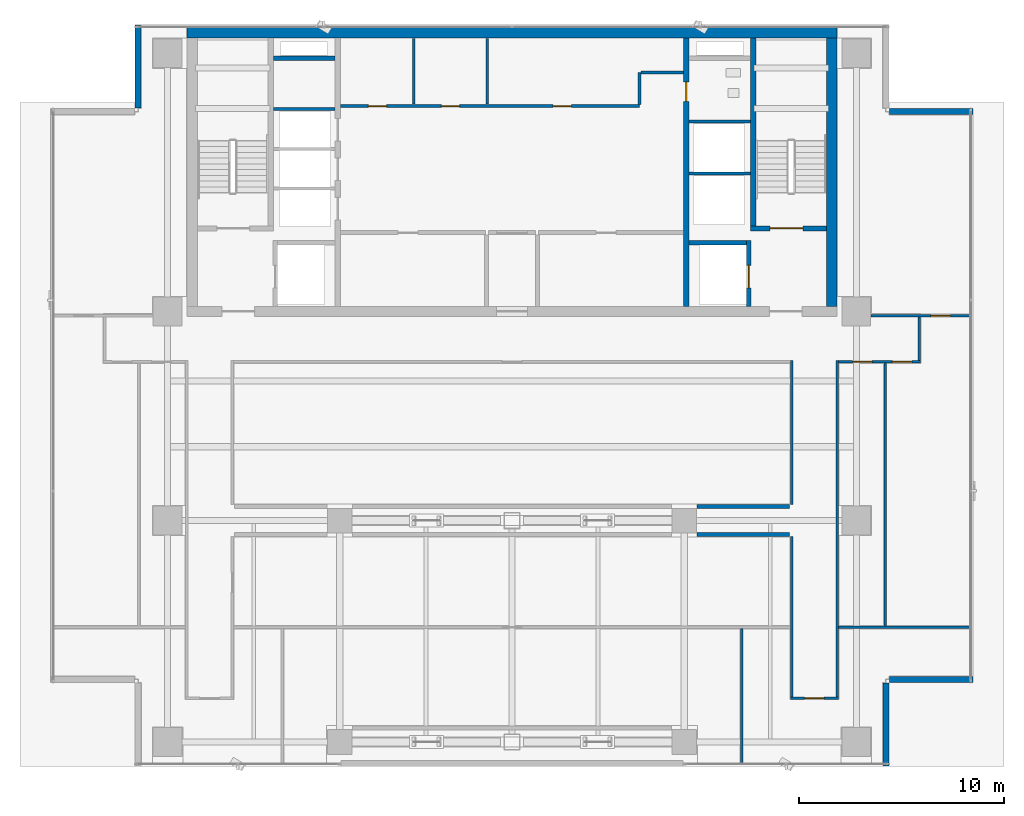
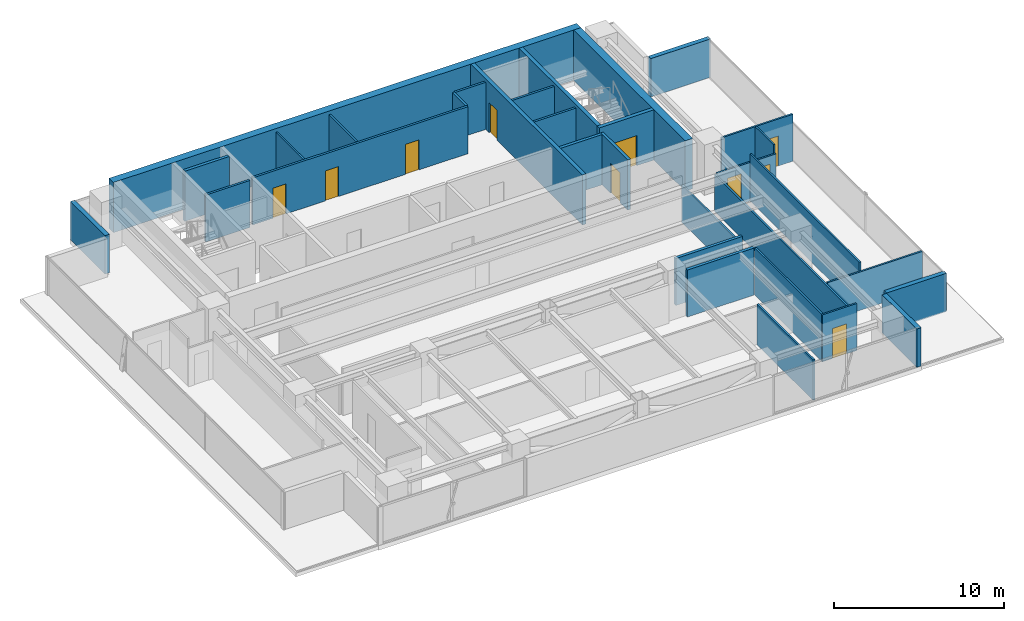
# One storey, part 21 of 27: 32 walls, 10 doors, 10 openings.
"""IFC4 building model written with IfcOpenShell, lengths in metres."""

from ifc_helpers import new_model, si_unit, direction, frame, frame_2d, origin, place, context, subcontext, project, spatial, rectangle, extrude, source, transform, mapped, material, layer, layer_set, type_object, element, fill, save


model = new_model("IFC4")

# Units and contexts
model_context = context("Model", 3, precision=1e-05, world=origin(), true_north=direction((0.0, 1.0)))
body_context = subcontext(model_context, "Body", "Model", "MODEL_VIEW")
ifc_project = project(units=[si_unit("LENGTHUNIT", "METRE"), si_unit("AREAUNIT", "SQUARE_METRE"), si_unit("VOLUMEUNIT", "CUBIC_METRE"), si_unit("PLANEANGLEUNIT", "RADIAN"), si_unit("MASSUNIT", "GRAM", prefix="KILO")], contexts=[model_context])

# Site, building, storey
site_placement = place(None, origin())
site = spatial("IfcSite", under=ifc_project, at=site_placement, CompositionType="ELEMENT")
building_placement = place(site_placement, origin())
building = spatial("IfcBuilding", under=site, at=building_placement, Name="Sumidabori Civic Tower", CompositionType="ELEMENT")
storey_placement = place(building_placement, frame((0.0, 0.0, 228.800048828125)))
storey = spatial("IfcBuildingStorey", under=building, at=storey_placement, Name="L59", CompositionType="ELEMENT", Elevation=228.800048828125)

# Walls
ifc_material_1 = material(Name="Concrete C50/60", Category="concrete")
ifc_layer_1 = layer(ifc_material_1, 0.199951171875, Name="Concrete C50/60")
ifc_layer_set_1 = layer_set([ifc_layer_1], Name="Concrete C50/60")
wall_type_1 = type_object("IfcWallType", Name="WL-SHAFT-200", PredefinedType="SHEAR", material=ifc_layer_set_1)
shared_shape_1 = source(origin(), body_context, "Body", "SweptSolid", [
    extrude(rectangle(XDim=2.824951171875, YDim=0.199951171875, at=frame_2d((1.41259765625, 0.0))), origin(), (0.0, 0.0, 1.0), 3.599853515625),
])
wall_1_placement = place(storey_placement, frame((8.625, 13.550048828125, 0.0), z_axis=(0.0, 0.0, 1.0), x_axis=(1.0, 0.0, 0.0)))
element("IfcWall", 1, at=wall_1_placement, inside=storey, type_object=wall_type_1, Name="Core Shear Wall L59 EL2-N", PredefinedType="SHEAR", context=body_context, shape_type="MappedRepresentation", body=[
    mapped(shared_shape_1, transform((0.0, 0.0, 0.0), x_axis=(1.0, 0.0, 0.0), y_axis=(0.0, 1.0, 0.0), z_axis=(0.0, 0.0, 1.0), scale=1.0)),
])
shared_shape_2 = source(origin(), body_context, "Body", "SweptSolid", [
    extrude(rectangle(XDim=3.02001953125, YDim=0.199951171875, at=frame_2d((1.510009765625, 0.0))), origin(), (0.0, 0.0, 1.0), 3.599853515625),
])
wall_2_placement = place(storey_placement, frame((-11.64501953125, 22.550048828125, 0.0), z_axis=(0.0, 0.0, 1.0), x_axis=(1.0, 0.0, 0.0)))
element("IfcWall", 2, at=wall_2_placement, inside=storey, type_object=wall_type_1, Name="Core Shear Wall L59 RIS1-S", PredefinedType="SHEAR", context=body_context, shape_type="MappedRepresentation", body=[
    mapped(shared_shape_2, transform((0.0, 0.0, 0.0), x_axis=(1.0, 0.0, 0.0), y_axis=(0.0, 1.0, 0.0), z_axis=(0.0, 0.0, 1.0), scale=1.0)),
])
ifc_layer_2 = layer(ifc_material_1, 0.5, Name="Concrete C50/60")
ifc_layer_set_2 = layer_set([ifc_layer_2], Name="Concrete C50/60")
wall_type_2 = type_object("IfcWallType", Name="WL-CORE-500", PredefinedType="SHEAR", material=ifc_layer_set_2)
shared_shape_3 = source(origin(), body_context, "Body", "SweptSolid", [
    extrude(rectangle(XDim=31.7001953125, YDim=0.5, at=frame_2d((15.85009765625, 0.0))), origin(), (0.0, 0.0, 1.0), 3.599853515625),
])
wall_3_placement = place(storey_placement, frame((-15.85009765625, 23.800048828125, 0.0), z_axis=(0.0, 0.0, 1.0), x_axis=(1.0, 0.0, 0.0)))
element("IfcWall", 3, at=wall_3_placement, inside=storey, type_object=wall_type_2, Name="Core Shear Wall L59 N", PredefinedType="SHEAR", context=body_context, shape_type="MappedRepresentation", body=[
    mapped(shared_shape_3, transform((0.0, 0.0, 0.0), x_axis=(1.0, 0.0, 0.0), y_axis=(0.0, 1.0, 0.0), z_axis=(0.0, 0.0, 1.0), scale=1.0)),
])
shared_shape_4 = source(origin(), body_context, "Body", "SweptSolid", [
    extrude(rectangle(XDim=13.10009765625, YDim=0.5, at=frame_2d((6.550048828125, 0.0))), origin(), (0.0, 0.0, 1.0), 3.599853515625),
])
wall_4_placement = place(storey_placement, frame((15.60009765625, 10.449951171875, 0.0), z_axis=(0.0, 0.0, 1.0), x_axis=(0.0, 1.0, 0.0)))
element("IfcWall", 4, at=wall_4_placement, inside=storey, type_object=wall_type_2, Name="Core Shear Wall L59 E", PredefinedType="SHEAR", context=body_context, shape_type="MappedRepresentation", body=[
    mapped(shared_shape_4, transform((0.0, 0.0, 0.0), x_axis=(1.0, 0.0, 0.0), y_axis=(0.0, 1.0, 0.0), z_axis=(0.0, 0.0, 1.0), scale=1.0)),
])

# Wall, opening, door
ifc_layer_3 = layer(ifc_material_1, 0.25, Name="Concrete C50/60")
ifc_layer_set_3 = layer_set([ifc_layer_3], Name="Concrete C50/60")
wall_type_3 = type_object("IfcWallType", Name="WL-SHAFT-250", PredefinedType="SHEAR", material=ifc_layer_set_3)
shared_shape_5 = source(origin(), body_context, "Body", "SweptSolid", [
    extrude(rectangle(XDim=13.10009765625, YDim=0.25, at=frame_2d((6.550048828125, 0.0))), origin(), (0.0, 0.0, 1.0), 3.599853515625),
])
wall_5_placement = place(storey_placement, frame((8.5, 10.449951171875, 0.0), z_axis=(0.0, 0.0, 1.0), x_axis=(0.0, 1.0, 0.0)))
wall_5 = element("IfcWall", 5, at=wall_5_placement, inside=storey, type_object=wall_type_3, Name="Core Shear Wall L59 WEB-E", PredefinedType="SHEAR", context=body_context, shape_type="MappedRepresentation", body=[
    mapped(shared_shape_5, transform((0.0, 0.0, 0.0), x_axis=(1.0, 0.0, 0.0), y_axis=(0.0, 1.0, 0.0), z_axis=(0.0, 0.0, 1.0), scale=1.0)),
])
opening_1_placement = place(wall_5_placement, frame((10.0, 0.0, 0.0)))
opening_1 = element("IfcOpeningElement", 6, at=opening_1_placement, cuts=wall_5, Name="Opening DR-2", PredefinedType="OPENING", context=body_context, shape_type="SweptSolid", body=[
    extrude(rectangle(XDim=0.949951171875, YDim=2.14990234375, at=frame_2d((0.47509765625, 1.074951171875))), frame((0.0, 0.136962890625, 0.0), z_axis=(0.0, -1.0, 0.0), x_axis=(1.0, 0.0, 0.0)), (0.0, 0.0, 1.0), 0.27392578125),
])
ifc_material_2 = material(Name="Japanese Hinoki Timber", Category="wood")
door_type_1 = type_object("IfcDoorType", Name="DR-INT-950", OperationType="NOTDEFINED", PredefinedType="DOOR", material=ifc_material_2)
shared_shape_6 = source(origin(), body_context, "Body", "SweptSolid", [
    extrude(rectangle(XDim=0.949951171875, YDim=2.14990234375, at=frame_2d((0.47509765625, 1.074951171875))), frame((0.0, 0.02490234375, 0.0), z_axis=(0.0, -1.0, 0.0), x_axis=(1.0, 0.0, 0.0)), (0.0, 0.0, 1.0), 0.050048828125),
])
door_1_placement = place(opening_1_placement, origin())
door_1 = element("IfcDoor", 7, at=door_1_placement, inside=storey, type_object=door_type_1, Name="Door DR:L59:WC-ACC", OperationType="SINGLE_SWING_RIGHT", OverallHeight=2.14990234375, OverallWidth=0.949951171875, PredefinedType="DOOR", context=body_context, shape_type="MappedRepresentation", body=[
    mapped(shared_shape_6, transform((0.0, 0.0, 0.0), x_axis=(1.0, 0.0, 0.0), y_axis=(0.0, 1.0, 0.0), z_axis=(0.0, 0.0, 1.0), scale=1.0)),
])
fill(opening_1, door_1)

shared_shape_7 = source(origin(), body_context, "Body", "SweptSolid", [
    extrude(rectangle(XDim=3.705078125, YDim=0.25, at=frame_2d((1.8525390625, 0.0))), origin(), (0.0, 0.0, 1.0), 3.599853515625),
])
wall_6_placement = place(storey_placement, frame((11.64501953125, 14.25, 0.0), z_axis=(0.0, 0.0, 1.0), x_axis=(1.0, 0.0, 0.0)))
wall_6 = element("IfcWall", 8, at=wall_6_placement, inside=storey, type_object=wall_type_3, Name="Core Shear Wall L59 ST2-S", PredefinedType="SHEAR", context=body_context, shape_type="MappedRepresentation", body=[
    mapped(shared_shape_7, transform((0.0, 0.0, 0.0), x_axis=(1.0, 0.0, 0.0), y_axis=(0.0, 1.0, 0.0), z_axis=(0.0, 0.0, 1.0), scale=1.0)),
])
opening_2_placement = place(wall_6_placement, frame((0.949951171875, 0.0, 0.0)))
opening_2 = element("IfcOpeningElement", 9, at=opening_2_placement, cuts=wall_6, Name="Opening DR-FD4", PredefinedType="OPENING", context=body_context, shape_type="SweptSolid", body=[
    extrude(rectangle(XDim=1.60009765625, YDim=2.14990234375, at=frame_2d((0.800048828125, 1.074951171875))), frame((0.0, 0.136962890625, 0.0), z_axis=(0.0, -1.0, 0.0), x_axis=(1.0, 0.0, 0.0)), (0.0, 0.0, 1.0), 0.27392578125),
])
ifc_material_3 = material(Name="Steel SN490", Category="steel")
door_type_2 = type_object("IfcDoorType", Name="DR-FD4", OperationType="DOUBLE_DOOR_SINGLE_SWING", PredefinedType="DOOR", material=ifc_material_3)
shared_shape_8 = source(origin(), body_context, "Body", "SweptSolid", [
    extrude(rectangle(XDim=1.60009765625, YDim=2.14990234375, at=frame_2d((0.800048828125, 1.074951171875))), frame((0.0, 0.02490234375, 0.0), z_axis=(0.0, -1.0, 0.0), x_axis=(1.0, 0.0, 0.0)), (0.0, 0.0, 1.0), 0.050048828125),
])
door_2_placement = place(opening_2_placement, origin())
door_2 = element("IfcDoor", 10, at=door_2_placement, inside=storey, type_object=door_type_2, Name="Door DR:L59:ST2", OperationType="DOUBLE_DOOR_SINGLE_SWING", OverallHeight=2.14990234375, OverallWidth=1.60009765625, PredefinedType="DOOR", context=body_context, shape_type="MappedRepresentation", body=[
    mapped(shared_shape_8, transform((0.0, 0.0, 0.0), x_axis=(1.0, 0.0, 0.0), y_axis=(0.0, 1.0, 0.0), z_axis=(0.0, 0.0, 1.0), scale=1.0)),
])
fill(opening_2, door_2)

# Wall
shared_shape_9 = source(origin(), body_context, "Body", "SweptSolid", [
    extrude(rectangle(XDim=9.175048828125, YDim=0.25, at=frame_2d((4.58740234375, 0.0))), origin(), (0.0, 0.0, 1.0), 3.599853515625),
])
wall_7_placement = place(storey_placement, frame((11.77001953125, 14.375, 0.0), z_axis=(0.0, 0.0, 1.0), x_axis=(0.0, 1.0, 0.0)))
element("IfcWall", 11, at=wall_7_placement, inside=storey, type_object=wall_type_3, Name="Core Shear Wall L59 ST2-W", PredefinedType="SHEAR", context=body_context, shape_type="MappedRepresentation", body=[
    mapped(shared_shape_9, transform((0.0, 0.0, 0.0), x_axis=(1.0, 0.0, 0.0), y_axis=(0.0, 1.0, 0.0), z_axis=(0.0, 0.0, 1.0), scale=1.0)),
])

# Wall, opening, door
shared_shape_10 = source(origin(), body_context, "Body", "SweptSolid", [
    extrude(rectangle(XDim=3.199951171875, YDim=0.199951171875, at=frame_2d((1.60009765625, 0.0))), origin(), (0.0, 0.0, 1.0), 3.599853515625),
])
wall_8_placement = place(storey_placement, frame((11.550048828125, 10.449951171875, 0.0), z_axis=(0.0, 0.0, 1.0), x_axis=(0.0, 1.0, 0.0)))
wall_8 = element("IfcWall", 12, at=wall_8_placement, inside=storey, type_object=wall_type_1, Name="Core Shear Wall L59 EL2-E", PredefinedType="SHEAR", context=body_context, shape_type="MappedRepresentation", body=[
    mapped(shared_shape_10, transform((0.0, 0.0, 0.0), x_axis=(1.0, 0.0, 0.0), y_axis=(0.0, 1.0, 0.0), z_axis=(0.0, 0.0, 1.0), scale=1.0)),
])
opening_3_placement = place(wall_8_placement, frame((0.89990234375, 0.0, 0.0)))
opening_3 = element("IfcOpeningElement", 13, at=opening_3_placement, cuts=wall_8, Name="Opening LD-2", PredefinedType="OPENING", context=body_context, shape_type="SweptSolid", body=[
    extrude(rectangle(XDim=1.10009765625, YDim=2.14990234375, at=frame_2d((0.550048828125, 1.074951171875))), frame((0.0, 0.11181640625, 0.0), z_axis=(0.0, -1.0, 0.0), x_axis=(1.0, 0.0, 0.0)), (0.0, 0.0, 1.0), 0.223876953125),
])
ifc_material_4 = material(Name="Stainless Steel Hairline Finish", Category="steel")
door_type_3 = type_object("IfcDoorType", Name="DR-LD2", OperationType="DOUBLE_DOOR_SLIDING", PredefinedType="DOOR", material=ifc_material_4)
shared_shape_11 = source(origin(), body_context, "Body", "SweptSolid", [
    extrude(rectangle(XDim=1.10009765625, YDim=2.14990234375, at=frame_2d((0.550048828125, 1.074951171875))), frame((0.0, 0.02490234375, 0.0), z_axis=(0.0, -1.0, 0.0), x_axis=(1.0, 0.0, 0.0)), (0.0, 0.0, 1.0), 0.050048828125),
])
door_3_placement = place(opening_3_placement, origin())
door_3 = element("IfcDoor", 14, at=door_3_placement, inside=storey, type_object=door_type_3, Name="Door DR:L59:LD-EL2", OperationType="DOUBLE_DOOR_SLIDING", OverallHeight=2.14990234375, OverallWidth=1.10009765625, PredefinedType="DOOR", context=body_context, shape_type="MappedRepresentation", body=[
    mapped(shared_shape_11, transform((0.0, 0.0, 0.0), x_axis=(1.0, 0.0, 0.0), y_axis=(0.0, 1.0, 0.0), z_axis=(0.0, 0.0, 1.0), scale=1.0)),
])
fill(opening_3, door_3)

# Walls
ifc_material_5 = material(Name="Precast concrete C40/50", Category="concrete")
ifc_layer_4 = layer(ifc_material_5, 0.300048828125, Name="Precast concrete C40/50")
ifc_layer_set_4 = layer_set([ifc_layer_4], Name="Precast concrete C40/50")
wall_type_4 = type_object("IfcWallType", Name="WL-EXT-POD300", PredefinedType="STANDARD", material=ifc_layer_set_4)
shared_shape_12 = source(origin(), body_context, "Body", "SweptSolid", [
    extrude(rectangle(XDim=4.06005859375, YDim=0.300048828125, at=frame_2d((2.030029296875, 0.0))), origin(), (0.0, 0.0, 1.0), 2.75),
])
for number, where, z_axis, x_axis, name in (
    (15, (18.25, -11.97998046875, 0.0), (0.0, 0.0, 1.0), (0.0, 1.0, 0.0), "Notched Corner Spandrel Band L59-03"),
    (16, (18.419921875, -7.75, 0.0), (0.0, 0.0, 1.0), (1.0, 0.0, 0.0), "Notched Corner Spandrel Band L59-04"),
    (17, (22.47998046875, 19.949951171875, 0.0), (0.0, 0.0, 1.0), (-1.0, 0.0, 0.0), "Notched Corner Spandrel Band L59-06"),
):
    element("IfcWall", number, at=place(storey_placement, frame(where, z_axis=z_axis, x_axis=x_axis)), inside=storey, type_object=wall_type_4, Name=name, PredefinedType="STANDARD", context=body_context, shape_type="MappedRepresentation", body=[
        mapped(shared_shape_12, transform((0.0, 0.0, 0.0), x_axis=(1.0, 0.0, 0.0), y_axis=(0.0, 1.0, 0.0), z_axis=(0.0, 0.0, 1.0), scale=1.0)),
    ])
shared_shape_13 = source(origin(), body_context, "Body", "SweptSolid", [
    extrude(rectangle(XDim=4.059814453125, YDim=0.300048828125, at=frame_2d((2.02978515625, 0.0))), origin(), (0.0, 0.0, 1.0), 2.75),
])
wall_9_placement = place(storey_placement, frame((-18.25, 24.179931640625, 0.0), z_axis=(0.0, 0.0, 1.0), x_axis=(0.0, -1.0, 0.0)))
element("IfcWall", 18, at=wall_9_placement, inside=storey, type_object=wall_type_4, Name="Notched Corner Spandrel Band L59-09", PredefinedType="STANDARD", context=body_context, shape_type="MappedRepresentation", body=[
    mapped(shared_shape_13, transform((0.0, 0.0, 0.0), x_axis=(1.0, 0.0, 0.0), y_axis=(0.0, 1.0, 0.0), z_axis=(0.0, 0.0, 1.0), scale=1.0)),
])
ifc_material_6 = material(Name="Gypsum Plasterboard Acoustic Partition")
ifc_layer_5 = layer(ifc_material_6, 0.14990234375, Name="Gypsum Plasterboard Acoustic Partition")
ifc_layer_set_5 = layer_set([ifc_layer_5], Name="Gypsum Plasterboard Acoustic Partition")
wall_type_5 = type_object("IfcWallType", Name="WL-PART-150", PredefinedType="PARTITIONING", material=ifc_layer_set_5)
shared_shape_14 = source(origin(), body_context, "Body", "SweptSolid", [
    extrude(rectangle(XDim=3.010009765625, YDim=0.14990234375, at=frame_2d((1.5048828125, 0.0))), origin(), (0.0, 0.0, 1.0), 3.369873046875),
])
for number, where, z_axis, x_axis, name in (
    (19, (-11.639892578125, 20.080078125, 0.0), (0.0, 0.0, 1.0), (1.0, 0.0, 0.0), "Interior Partition WL:L59:DIV-PLH3"),
    (20, (8.6298828125, 16.919921875, 0.0), (0.0, 0.0, 1.0), (1.0, 0.0, 0.0), "Interior Partition WL:L59:DIV-OBS1"),
    (21, (8.6298828125, 19.469970703125, 0.0), (0.0, 0.0, 1.0), (1.0, 0.0, 0.0), "Interior Partition WL:L59:DIV-OBS2"),
):
    element("IfcWall", number, at=place(storey_placement, frame(where, z_axis=z_axis, x_axis=x_axis)), inside=storey, type_object=wall_type_5, Name=name, PredefinedType="PARTITIONING", context=body_context, shape_type="MappedRepresentation", body=[
        mapped(shared_shape_14, transform((0.0, 0.0, 0.0), x_axis=(1.0, 0.0, 0.0), y_axis=(0.0, 1.0, 0.0), z_axis=(0.0, 0.0, 1.0), scale=1.0)),
    ])

# Wall, openings, doors
shared_shape_15 = source(origin(), body_context, "Body", "SweptSolid", [
    extrude(rectangle(XDim=14.590087890625, YDim=0.14990234375, at=frame_2d((7.294921875, 0.0))), origin(), (0.0, 0.0, 1.0), 3.369873046875),
])
wall_10_placement = place(storey_placement, frame((-8.3701171875, 20.219970703125, 0.0), z_axis=(0.0, 0.0, 1.0), x_axis=(1.0, 0.0, 0.0)))
wall_10 = element("IfcWall", 22, at=wall_10_placement, inside=storey, type_object=wall_type_5, Name="Interior Partition WL:L59:CBAND-M", PredefinedType="PARTITIONING", context=body_context, shape_type="MappedRepresentation", body=[
    mapped(shared_shape_15, transform((0.0, 0.0, 0.0), x_axis=(1.0, 0.0, 0.0), y_axis=(0.0, 1.0, 0.0), z_axis=(0.0, 0.0, 1.0), scale=1.0)),
])
opening_4_placement = place(wall_10_placement, frame((1.360107421875, 0.0, 0.0)))
opening_4 = element("IfcOpeningElement", 23, at=opening_4_placement, cuts=wall_10, Name="Opening DR-1", PredefinedType="OPENING", context=body_context, shape_type="SweptSolid", body=[
    extrude(rectangle(XDim=0.89990234375, YDim=2.14990234375, at=frame_2d((0.449951171875, 1.074951171875))), frame((0.0, 0.0869140625, 0.0), z_axis=(0.0, -1.0, 0.0), x_axis=(1.0, 0.0, 0.0)), (0.0, 0.0, 1.0), 0.173828125),
])
opening_5_placement = place(wall_10_placement, frame((4.919921875, 0.0, 0.0)))
opening_5 = element("IfcOpeningElement", 24, at=opening_5_placement, cuts=wall_10, Name="Opening DR-1", PredefinedType="OPENING", context=body_context, shape_type="SweptSolid", body=[
    extrude(rectangle(XDim=0.89990234375, YDim=2.14990234375, at=frame_2d((0.449951171875, 1.074951171875))), frame((0.0, 0.0869140625, 0.0), z_axis=(0.0, -1.0, 0.0), x_axis=(1.0, 0.0, 0.0)), (0.0, 0.0, 1.0), 0.173828125),
])
opening_6_placement = place(wall_10_placement, frame((10.3701171875, 0.0, 0.0)))
opening_6 = element("IfcOpeningElement", 25, at=opening_6_placement, cuts=wall_10, Name="Opening DR-1", PredefinedType="OPENING", context=body_context, shape_type="SweptSolid", body=[
    extrude(rectangle(XDim=0.89990234375, YDim=2.14990234375, at=frame_2d((0.449951171875, 1.074951171875))), frame((0.0, 0.0869140625, 0.0), z_axis=(0.0, -1.0, 0.0), x_axis=(1.0, 0.0, 0.0)), (0.0, 0.0, 1.0), 0.173828125),
])
door_type_4 = type_object("IfcDoorType", Name="DR-INT-900", OperationType="NOTDEFINED", PredefinedType="DOOR", material=ifc_material_2)
shared_shape_16 = source(origin(), body_context, "Body", "SweptSolid", [
    extrude(rectangle(XDim=0.89990234375, YDim=2.14990234375, at=frame_2d((0.449951171875, 1.074951171875))), frame((0.0, 0.02490234375, 0.0), z_axis=(0.0, -1.0, 0.0), x_axis=(1.0, 0.0, 0.0)), (0.0, 0.0, 1.0), 0.050048828125),
])
door_4_placement = place(opening_4_placement, origin())
door_4 = element("IfcDoor", 26, at=door_4_placement, inside=storey, type_object=door_type_4, Name="Door DR:L59:CB-1", OperationType="SINGLE_SWING_LEFT", OverallHeight=2.14990234375, OverallWidth=0.89990234375, PredefinedType="DOOR", context=body_context, shape_type="MappedRepresentation", body=[
    mapped(shared_shape_16, transform((0.0, 0.0, 0.0), x_axis=(1.0, 0.0, 0.0), y_axis=(0.0, 1.0, 0.0), z_axis=(0.0, 0.0, 1.0), scale=1.0)),
])
fill(opening_4, door_4)
door_5_placement = place(opening_5_placement, origin())
door_5 = element("IfcDoor", 27, at=door_5_placement, inside=storey, type_object=door_type_4, Name="Door DR:L59:CB-2", OperationType="SINGLE_SWING_RIGHT", OverallHeight=2.14990234375, OverallWidth=0.89990234375, PredefinedType="DOOR", context=body_context, shape_type="MappedRepresentation", body=[
    mapped(shared_shape_16, transform((0.0, 0.0, 0.0), x_axis=(1.0, 0.0, 0.0), y_axis=(0.0, 1.0, 0.0), z_axis=(0.0, 0.0, 1.0), scale=1.0)),
])
fill(opening_5, door_5)
door_6_placement = place(opening_6_placement, origin())
door_6 = element("IfcDoor", 28, at=door_6_placement, inside=storey, type_object=door_type_4, Name="Door DR:L59:CB-3", OperationType="SINGLE_SWING_LEFT", OverallHeight=2.14990234375, OverallWidth=0.89990234375, PredefinedType="DOOR", context=body_context, shape_type="MappedRepresentation", body=[
    mapped(shared_shape_16, transform((0.0, 0.0, 0.0), x_axis=(1.0, 0.0, 0.0), y_axis=(0.0, 1.0, 0.0), z_axis=(0.0, 0.0, 1.0), scale=1.0)),
])
fill(opening_6, door_6)

# Walls
shared_shape_17 = source(origin(), body_context, "Body", "SweptSolid", [
    extrude(rectangle(XDim=1.550048828125, YDim=0.14990234375, at=frame_2d((0.77490234375, 0.0))), origin(), (0.0, 0.0, 1.0), 3.369873046875),
])
wall_11_placement = place(storey_placement, frame((6.219970703125, 20.300048828125, 0.0), z_axis=(0.0, 0.0, 1.0), x_axis=(0.0, 1.0, 0.0)))
element("IfcWall", 29, at=wall_11_placement, inside=storey, type_object=wall_type_5, Name="Interior Partition WL:L59:CBAND-ME1", PredefinedType="PARTITIONING", context=body_context, shape_type="MappedRepresentation", body=[
    mapped(shared_shape_17, transform((0.0, 0.0, 0.0), x_axis=(1.0, 0.0, 0.0), y_axis=(0.0, 1.0, 0.0), z_axis=(0.0, 0.0, 1.0), scale=1.0)),
])
shared_shape_18 = source(origin(), body_context, "Body", "SweptSolid", [
    extrude(rectangle(XDim=2.070068359375, YDim=0.14990234375, at=frame_2d((1.03515625, 0.0))), origin(), (0.0, 0.0, 1.0), 3.369873046875),
])
wall_12_placement = place(storey_placement, frame((6.300048828125, 21.85009765625, 0.0), z_axis=(0.0, 0.0, 1.0), x_axis=(1.0, 0.0, 0.0)))
element("IfcWall", 30, at=wall_12_placement, inside=storey, type_object=wall_type_5, Name="Interior Partition WL:L59:CBAND-ME2", PredefinedType="PARTITIONING", context=body_context, shape_type="MappedRepresentation", body=[
    mapped(shared_shape_18, transform((0.0, 0.0, 0.0), x_axis=(1.0, 0.0, 0.0), y_axis=(0.0, 1.0, 0.0), z_axis=(0.0, 0.0, 1.0), scale=1.0)),
])
ifc_layer_6 = layer(ifc_material_6, 0.1201171875, Name="Gypsum Plasterboard Acoustic Partition")
ifc_layer_set_6 = layer_set([ifc_layer_6], Name="Gypsum Plasterboard Acoustic Partition")
wall_type_6 = type_object("IfcWallType", Name="WL-PART-120", PredefinedType="PARTITIONING", material=ifc_layer_set_6)
shared_shape_19 = source(origin(), body_context, "Body", "SweptSolid", [
    extrude(rectangle(XDim=3.18994140625, YDim=0.1201171875, at=frame_2d((1.594970703125, 0.0))), origin(), (0.0, 0.0, 1.0), 3.369873046875),
])
for number, where, z_axis, x_axis, name in (
    (31, (-4.800048828125, 20.320068359375, 0.0), (0.0, 0.0, 1.0), (0.0, 1.0, 0.0), "Interior Partition WL:L59:LV8-S1"),
    (32, (-1.199951171875, 20.320068359375, 0.0), (0.0, 0.0, 1.0), (0.0, 1.0, 0.0), "Interior Partition WL:L59:LV8-S2"),
):
    element("IfcWall", number, at=place(storey_placement, frame(where, z_axis=z_axis, x_axis=x_axis)), inside=storey, type_object=wall_type_6, Name=name, PredefinedType="PARTITIONING", context=body_context, shape_type="MappedRepresentation", body=[
        mapped(shared_shape_19, transform((0.0, 0.0, 0.0), x_axis=(1.0, 0.0, 0.0), y_axis=(0.0, 1.0, 0.0), z_axis=(0.0, 0.0, 1.0), scale=1.0)),
    ])
ifc_material_7 = material(Name="Gypsum Plasterboard Fire Partition")
ifc_layer_7 = layer(ifc_material_7, 0.199951171875, Name="Gypsum Plasterboard Fire Partition")
ifc_layer_set_7 = layer_set([ifc_layer_7], Name="Gypsum Plasterboard Fire Partition")
wall_type_7 = type_object("IfcWallType", Name="WL-PART-FIRE", PredefinedType="PARTITIONING", material=ifc_layer_set_7)
shared_shape_20 = source(origin(), body_context, "Body", "SweptSolid", [
    extrude(rectangle(XDim=4.52001953125, YDim=0.199951171875, at=frame_2d((2.260009765625, 0.0))), origin(), (0.0, 0.0, 1.0), 3.369873046875),
])
for number, where, z_axis, x_axis, name in (
    (33, (9.02001953125, 0.679931640625, 0.0), (0.0, 0.0, 1.0), (1.0, 0.0, 0.0), "Interior Partition WL:L59:PT2-NE"),
    (34, (9.02001953125, -0.679931640625, 0.0), (0.0, 0.0, 1.0), (1.0, 0.0, 0.0), "Interior Partition WL:L59:PT2-SE"),
):
    element("IfcWall", number, at=place(storey_placement, frame(where, z_axis=z_axis, x_axis=x_axis)), inside=storey, type_object=wall_type_7, Name=name, PredefinedType="PARTITIONING", context=body_context, shape_type="MappedRepresentation", body=[
        mapped(shared_shape_20, transform((0.0, 0.0, 0.0), x_axis=(1.0, 0.0, 0.0), y_axis=(0.0, 1.0, 0.0), z_axis=(0.0, 0.0, 1.0), scale=1.0)),
    ])

# Wall, opening, door
shared_shape_21 = source(origin(), body_context, "Body", "SweptSolid", [
    extrude(rectangle(XDim=4.840087890625, YDim=0.1201171875, at=frame_2d((2.419921875, 0.0))), origin(), (0.0, 0.0, 1.0), 3.369873046875),
])
wall_13_placement = place(storey_placement, frame((17.510009765625, 10.0, 0.0), z_axis=(0.0, 0.0, 1.0), x_axis=(1.0, 0.0, 0.0)))
wall_13 = element("IfcWall", 35, at=wall_13_placement, inside=storey, type_object=wall_type_6, Name="Interior Partition WL:L59:FLK-NE", PredefinedType="PARTITIONING", context=body_context, shape_type="MappedRepresentation", body=[
    mapped(shared_shape_21, transform((0.0, 0.0, 0.0), x_axis=(1.0, 0.0, 0.0), y_axis=(0.0, 1.0, 0.0), z_axis=(0.0, 0.0, 1.0), scale=1.0)),
])
opening_7_placement = place(wall_13_placement, frame((2.919921875, 0.0, 0.0)))
opening_7 = element("IfcOpeningElement", 36, at=opening_7_placement, cuts=wall_13, Name="Opening DR-2", PredefinedType="OPENING", context=body_context, shape_type="SweptSolid", body=[
    extrude(rectangle(XDim=0.949951171875, YDim=2.14990234375, at=frame_2d((0.47509765625, 1.074951171875))), frame((0.0, 0.072021484375, 0.0), z_axis=(0.0, -1.0, 0.0), x_axis=(1.0, 0.0, 0.0)), (0.0, 0.0, 1.0), 0.14404296875),
])
door_7_placement = place(opening_7_placement, origin())
door_7 = element("IfcDoor", 37, at=door_7_placement, inside=storey, type_object=door_type_1, Name="Door DR:L59:D10", OperationType="SINGLE_SWING_RIGHT", OverallHeight=2.14990234375, OverallWidth=0.949951171875, PredefinedType="DOOR", context=body_context, shape_type="MappedRepresentation", body=[
    mapped(shared_shape_6, transform((0.0, 0.0, 0.0), x_axis=(1.0, 0.0, 0.0), y_axis=(0.0, 1.0, 0.0), z_axis=(0.0, 0.0, 1.0), scale=1.0)),
])
fill(opening_7, door_7)

# Wall, openings, doors
shared_shape_22 = source(origin(), body_context, "Body", "SweptSolid", [
    extrude(rectangle(XDim=4.0, YDim=0.1201171875, at=frame_2d((2.0, 0.0))), origin(), (0.0, 0.0, 1.0), 2.7548828125),
])
wall_14_placement = place(storey_placement, frame((15.919921875, 7.739990234375, 0.0), z_axis=(0.0, 0.0, 1.0), x_axis=(1.0, 0.0, 0.0)))
wall_14 = element("IfcWall", 38, at=wall_14_placement, inside=storey, type_object=wall_type_6, Name="Interior Partition WL:L59:CORR-SEO", PredefinedType="PARTITIONING", context=body_context, shape_type="MappedRepresentation", body=[
    mapped(shared_shape_22, transform((0.0, 0.0, 0.0), x_axis=(1.0, 0.0, 0.0), y_axis=(0.0, 1.0, 0.0), z_axis=(0.0, 0.0, 1.0), scale=1.0)),
])
opening_8_placement = place(wall_14_placement, frame((2.635009765625, 0.0, 0.0)))
opening_8 = element("IfcOpeningElement", 39, at=opening_8_placement, cuts=wall_14, Name="Opening DR-2", PredefinedType="OPENING", context=body_context, shape_type="SweptSolid", body=[
    extrude(rectangle(XDim=0.949951171875, YDim=2.14990234375, at=frame_2d((0.47509765625, 1.074951171875))), frame((0.0, 0.072021484375, 0.0), z_axis=(0.0, -1.0, 0.0), x_axis=(1.0, 0.0, 0.0)), (0.0, 0.0, 1.0), 0.14404296875),
])
opening_9_placement = place(wall_14_placement, frame((0.695068359375, 0.0, 0.0)))
opening_9 = element("IfcOpeningElement", 40, at=opening_9_placement, cuts=wall_14, Name="Opening DR-2", PredefinedType="OPENING", context=body_context, shape_type="SweptSolid", body=[
    extrude(rectangle(XDim=0.949951171875, YDim=2.14990234375, at=frame_2d((0.47509765625, 1.074951171875))), frame((0.0, 0.072021484375, 0.0), z_axis=(0.0, -1.0, 0.0), x_axis=(1.0, 0.0, 0.0)), (0.0, 0.0, 1.0), 0.14404296875),
])
door_8_placement = place(opening_8_placement, origin())
door_8 = element("IfcDoor", 41, at=door_8_placement, inside=storey, type_object=door_type_1, Name="Door DR:L59:D03", OperationType="SINGLE_SWING_LEFT", OverallHeight=2.14990234375, OverallWidth=0.949951171875, PredefinedType="DOOR", context=body_context, shape_type="MappedRepresentation", body=[
    mapped(shared_shape_6, transform((0.0, 0.0, 0.0), x_axis=(1.0, 0.0, 0.0), y_axis=(0.0, 1.0, 0.0), z_axis=(0.0, 0.0, 1.0), scale=1.0)),
])
fill(opening_8, door_8)
door_9_placement = place(opening_9_placement, origin())
door_9 = element("IfcDoor", 42, at=door_9_placement, inside=storey, type_object=door_type_1, Name="Door DR:L59:D05", OperationType="SINGLE_SWING_LEFT", OverallHeight=2.14990234375, OverallWidth=0.949951171875, PredefinedType="DOOR", context=body_context, shape_type="MappedRepresentation", body=[
    mapped(shared_shape_6, transform((0.0, 0.0, 0.0), x_axis=(1.0, 0.0, 0.0), y_axis=(0.0, 1.0, 0.0), z_axis=(0.0, 0.0, 1.0), scale=1.0)),
])
fill(opening_9, door_9)

# Wall, opening, door
shared_shape_23 = source(origin(), body_context, "Body", "SweptSolid", [
    extrude(rectangle(XDim=2.33984375, YDim=0.1201171875, at=frame_2d((1.169921875, 0.0))), origin(), (0.0, 0.0, 1.0), 3.369873046875),
])
wall_15_placement = place(storey_placement, frame((13.580078125, -8.659912109375, 0.0), z_axis=(0.0, 0.0, 1.0), x_axis=(1.0, 0.0, 0.0)))
wall_15 = element("IfcWall", 43, at=wall_15_placement, inside=storey, type_object=wall_type_6, Name="Interior Partition WL:L59:CORR-CAP-E", PredefinedType="PARTITIONING", context=body_context, shape_type="MappedRepresentation", body=[
    mapped(shared_shape_23, transform((0.0, 0.0, 0.0), x_axis=(1.0, 0.0, 0.0), y_axis=(0.0, 1.0, 0.0), z_axis=(0.0, 0.0, 1.0), scale=1.0)),
])
opening_10_placement = place(wall_15_placement, frame((0.695068359375, 0.0, 0.0)))
opening_10 = element("IfcOpeningElement", 44, at=opening_10_placement, cuts=wall_15, Name="Opening DR-2", PredefinedType="OPENING", context=body_context, shape_type="SweptSolid", body=[
    extrude(rectangle(XDim=0.949951171875, YDim=2.14990234375, at=frame_2d((0.47509765625, 1.074951171875))), frame((0.0, 0.072021484375, 0.0), z_axis=(0.0, -1.0, 0.0), x_axis=(1.0, 0.0, 0.0)), (0.0, 0.0, 1.0), 0.14404296875),
])
door_10_placement = place(opening_10_placement, origin())
door_10 = element("IfcDoor", 45, at=door_10_placement, inside=storey, type_object=door_type_1, Name="Door DR:L59:D08", OperationType="SINGLE_SWING_RIGHT", OverallHeight=2.14990234375, OverallWidth=0.949951171875, PredefinedType="DOOR", context=body_context, shape_type="MappedRepresentation", body=[
    mapped(shared_shape_6, transform((0.0, 0.0, 0.0), x_axis=(1.0, 0.0, 0.0), y_axis=(0.0, 1.0, 0.0), z_axis=(0.0, 0.0, 1.0), scale=1.0)),
])
fill(opening_10, door_10)

# Walls
shared_shape_24 = source(origin(), body_context, "Body", "SweptSolid", [
    extrude(rectangle(XDim=2.130126953125, YDim=0.1201171875, at=frame_2d((1.06494140625, 0.0))), origin(), (0.0, 0.0, 1.0), 3.369873046875),
])
wall_16_placement = place(storey_placement, frame((19.860107421875, 7.804931640625, 0.0), z_axis=(0.0, 0.0, 1.0), x_axis=(0.0, 1.0, 0.0)))
element("IfcWall", 46, at=wall_16_placement, inside=storey, type_object=wall_type_6, Name="Interior Partition WL:L59:CORR-VNE", PredefinedType="PARTITIONING", context=body_context, shape_type="MappedRepresentation", body=[
    mapped(shared_shape_24, transform((0.0, 0.0, 0.0), x_axis=(1.0, 0.0, 0.0), y_axis=(0.0, 1.0, 0.0), z_axis=(0.0, 0.0, 1.0), scale=1.0)),
])
shared_shape_25 = source(origin(), body_context, "Body", "SweptSolid", [
    extrude(rectangle(XDim=16.39501953125, YDim=0.1201171875, at=frame_2d((8.197509765625, 0.0))), origin(), (0.0, 0.0, 1.0), 2.655029296875),
])
wall_17_placement = place(storey_placement, frame((15.860107421875, -8.594970703125, 0.0), z_axis=(0.0, 0.0, 1.0), x_axis=(0.0, 1.0, 0.0)))
element("IfcWall", 47, at=wall_17_placement, inside=storey, type_object=wall_type_6, Name="Interior Partition WL:L59:CORR-VPE-O", PredefinedType="PARTITIONING", context=body_context, shape_type="MappedRepresentation", body=[
    mapped(shared_shape_25, transform((0.0, 0.0, 0.0), x_axis=(1.0, 0.0, 0.0), y_axis=(0.0, 1.0, 0.0), z_axis=(0.0, 0.0, 1.0), scale=1.0)),
])
shared_shape_26 = source(origin(), body_context, "Body", "SweptSolid", [
    extrude(rectangle(XDim=7.81494140625, YDim=0.1201171875, at=frame_2d((3.907470703125, 0.0))), origin(), (0.0, 0.0, 1.0), 3.369873046875),
])
wall_18_placement = place(storey_placement, frame((13.639892578125, -8.594970703125, 0.0), z_axis=(0.0, 0.0, 1.0), x_axis=(0.0, 1.0, 0.0)))
element("IfcWall", 48, at=wall_18_placement, inside=storey, type_object=wall_type_6, Name="Interior Partition WL:L59:CORR-VPE-I-1", PredefinedType="PARTITIONING", context=body_context, shape_type="MappedRepresentation", body=[
    mapped(shared_shape_26, transform((0.0, 0.0, 0.0), x_axis=(1.0, 0.0, 0.0), y_axis=(0.0, 1.0, 0.0), z_axis=(0.0, 0.0, 1.0), scale=1.0)),
])
shared_shape_27 = source(origin(), body_context, "Body", "SweptSolid", [
    extrude(rectangle(XDim=7.02001953125, YDim=0.1201171875, at=frame_2d((3.510009765625, 0.0))), origin(), (0.0, 0.0, 1.0), 2.655029296875),
])
wall_19_placement = place(storey_placement, frame((13.639892578125, 0.780029296875, 0.0), z_axis=(0.0, 0.0, 1.0), x_axis=(0.0, 1.0, 0.0)))
element("IfcWall", 49, at=wall_19_placement, inside=storey, type_object=wall_type_6, Name="Interior Partition WL:L59:CORR-VPE-I-2", PredefinedType="PARTITIONING", context=body_context, shape_type="MappedRepresentation", body=[
    mapped(shared_shape_27, transform((0.0, 0.0, 0.0), x_axis=(1.0, 0.0, 0.0), y_axis=(0.0, 1.0, 0.0), z_axis=(0.0, 0.0, 1.0), scale=1.0)),
])
shared_shape_28 = source(origin(), body_context, "Body", "SweptSolid", [
    extrude(rectangle(XDim=6.425048828125, YDim=0.1201171875, at=frame_2d((3.21240234375, 0.0))), origin(), (0.0, 0.0, 1.0), 2.7548828125),
])
wall_20_placement = place(storey_placement, frame((15.925048828125, -5.199951171875, 0.0), z_axis=(0.0, 0.0, 1.0), x_axis=(1.0, 0.0, 0.0)))
element("IfcWall", 50, at=wall_20_placement, inside=storey, type_object=wall_type_6, Name="Interior Partition WL:L59:BAND-Y-3", PredefinedType="PARTITIONING", context=body_context, shape_type="MappedRepresentation", body=[
    mapped(shared_shape_28, transform((0.0, 0.0, 0.0), x_axis=(1.0, 0.0, 0.0), y_axis=(0.0, 1.0, 0.0), z_axis=(0.0, 0.0, 1.0), scale=1.0)),
])
shared_shape_29 = source(origin(), body_context, "Body", "SweptSolid", [
    extrude(rectangle(XDim=12.81005859375, YDim=0.1201171875, at=frame_2d((6.405029296875, 0.0))), origin(), (0.0, 0.0, 1.0), 3.369873046875),
])
wall_21_placement = place(storey_placement, frame((18.199951171875, -5.135009765625, 0.0), z_axis=(0.0, 0.0, 1.0), x_axis=(0.0, 1.0, 0.0)))
element("IfcWall", 51, at=wall_21_placement, inside=storey, type_object=wall_type_6, Name="Interior Partition WL:L59:VX-N2", PredefinedType="PARTITIONING", context=body_context, shape_type="MappedRepresentation", body=[
    mapped(shared_shape_29, transform((0.0, 0.0, 0.0), x_axis=(1.0, 0.0, 0.0), y_axis=(0.0, 1.0, 0.0), z_axis=(0.0, 0.0, 1.0), scale=1.0)),
])
shared_shape_30 = source(origin(), body_context, "Body", "SweptSolid", [
    extrude(rectangle(XDim=6.585205078125, YDim=0.1201171875, at=frame_2d((3.29248046875, 0.0))), origin(), (0.0, 0.0, 1.0), 2.905029296875),
])
wall_22_placement = place(storey_placement, frame((11.199951171875, -11.85009765625, 0.0), z_axis=(0.0, 0.0, 1.0), x_axis=(0.0, 1.0, 0.0)))
element("IfcWall", 52, at=wall_22_placement, inside=storey, type_object=wall_type_6, Name="Interior Partition WL:L59:VX-S2", PredefinedType="PARTITIONING", context=body_context, shape_type="MappedRepresentation", body=[
    mapped(shared_shape_30, transform((0.0, 0.0, 0.0), x_axis=(1.0, 0.0, 0.0), y_axis=(0.0, 1.0, 0.0), z_axis=(0.0, 0.0, 1.0), scale=1.0)),
])

save(model, "model.ifc")
